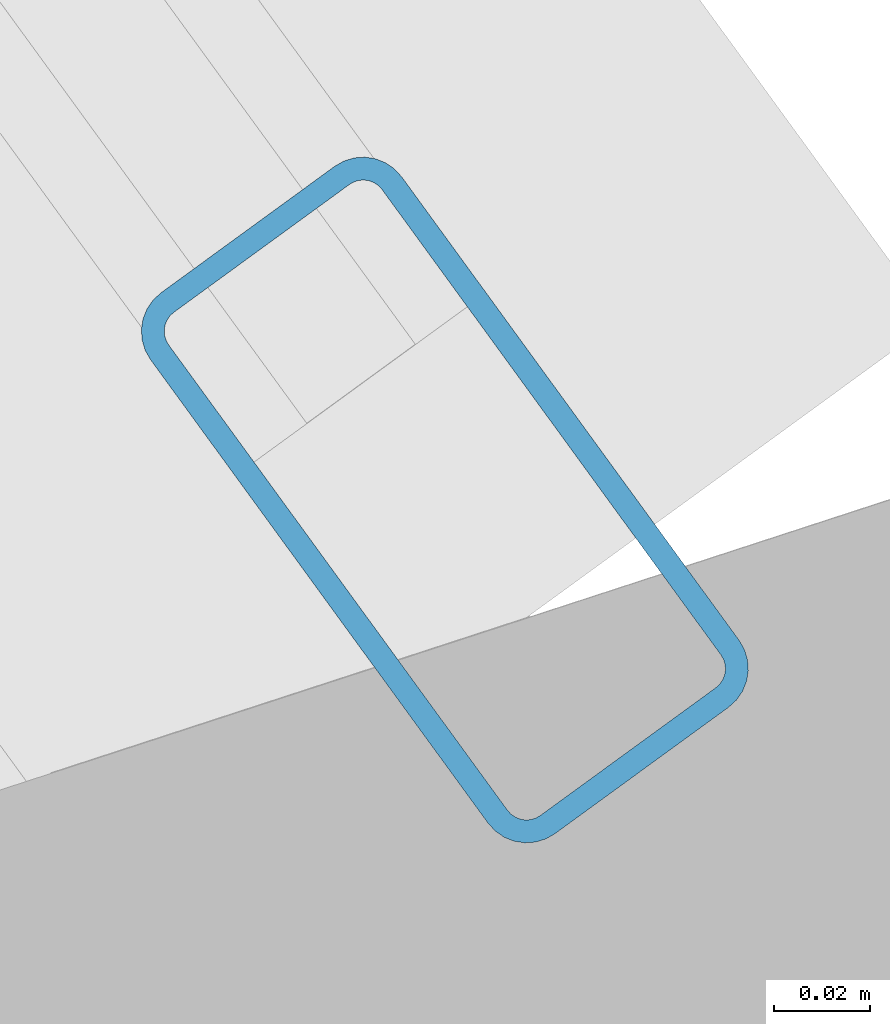
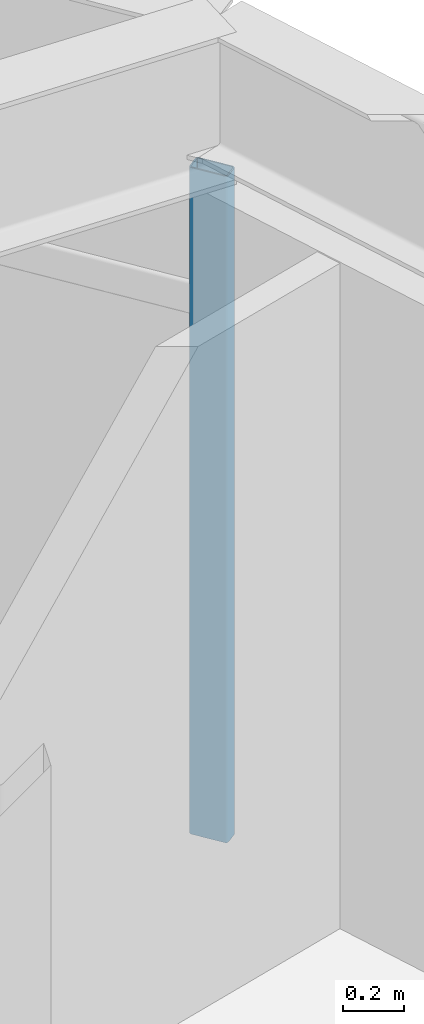
# One storey, part 17 of 31: 1 member, 1 element without a shape of its own.
"""IFC4 building model written with IfcOpenShell, lengths in metres."""

from ifc_helpers import new_model, si_unit, direction, frame, origin, origin_2d, place, context, subcontext, project, spatial, hollow_rectangle, extrude, material, layer, layer_set, material_profile, profile_set, type_object, element, aggregate, save


model = new_model("IFC4")

# Units and contexts
model_context = context("Model", 3, precision=1e-05, world=origin(), true_north=direction((0.0, 1.0)))
body_context = subcontext(model_context, "Body", "Model", "MODEL_VIEW")
ifc_project = project(units=[si_unit("LENGTHUNIT", "METRE"), si_unit("AREAUNIT", "SQUARE_METRE"), si_unit("VOLUMEUNIT", "CUBIC_METRE"), si_unit("PLANEANGLEUNIT", "RADIAN"), si_unit("MASSUNIT", "GRAM", prefix="KILO")], contexts=[model_context])

# Site, building, storey
site_placement = place(None, origin())
site = spatial("IfcSite", under=ifc_project, at=site_placement, CompositionType="ELEMENT")
building_placement = place(site_placement, origin())
building = spatial("IfcBuilding", under=site, at=building_placement, Name="Soratama Intermodal Tower", CompositionType="ELEMENT")
storey_placement = place(building_placement, frame((0.0, 0.0, 230.199951171875)))
storey = spatial("IfcBuildingStorey", under=building, at=storey_placement, Name="L58", CompositionType="ELEMENT", Elevation=230.199951171875)

# Curtain wall, member
ifc_material_1 = material(Name="Double-glazed aluminium curtain wall", Category="aluminium")
ifc_layer = layer(ifc_material_1, 0.159912109375)
ifc_layer_set = layer_set([ifc_layer], Name="Double-glazed aluminium curtain wall")
curtain_wall_type = type_object("IfcCurtainWallType", Name="CW-SYS-5", PredefinedType="NOTDEFINED", material=ifc_layer_set)
curtain_wall_placement = place(storey_placement, origin())
curtain_wall = element("IfcCurtainWall", 1, at=curtain_wall_placement, inside=storey, type_object=curtain_wall_type, Name="L58 Faceted Curtain Wall F10", PredefinedType="NOTDEFINED")
ifc_material_2 = material(Name="Anodised aluminium AA 6063-T6", Category="aluminium")
ifc_material_profile = material_profile(ifc_material_2, hollow_rectangle(XDim=0.06494140625, YDim=0.139892578125, WallThickness=0.0048828125, InnerFilletRadius=0.0048828125, OuterFilletRadius=0.010009765625, at=origin_2d()), Name="CWM140X65X5")
ifc_profile_set = profile_set([ifc_material_profile], Name="Anodised aluminium AA 6063-T6")
member_type = type_object("IfcMemberType", Name="MT-CWM-5", PredefinedType="MULLION", material=ifc_profile_set)
member_placement = place(storey_placement, frame((63.9345703125, 32.764404296875, 0.0), z_axis=(0.0, 0.0, 1.0), x_axis=(-0.808395658706, -0.588639498323, 0.0)))
member = element("IfcMember", 2, at=member_placement, type_object=member_type, Name="CW-5 mullion 1", PredefinedType="MULLION", context=body_context, shape_type="SweptSolid", body=[
    extrude(hollow_rectangle(XDim=0.06494140625, YDim=0.139892578125, WallThickness=0.0048828125, InnerFilletRadius=0.0048828125, OuterFilletRadius=0.010009765625, at=origin_2d()), origin(), (0.0, 0.0, 1.0), 2.678955078125),
])
aggregate(curtain_wall, [member])

save(model, "model.ifc")
